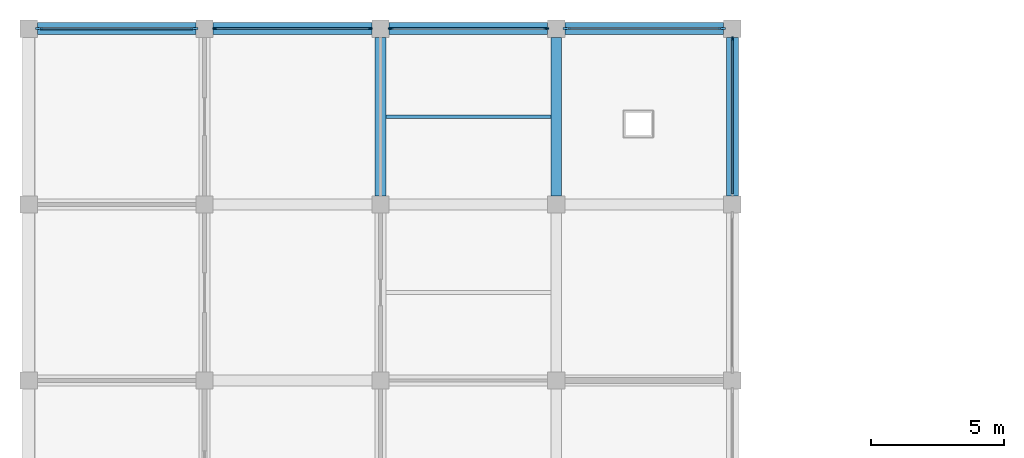
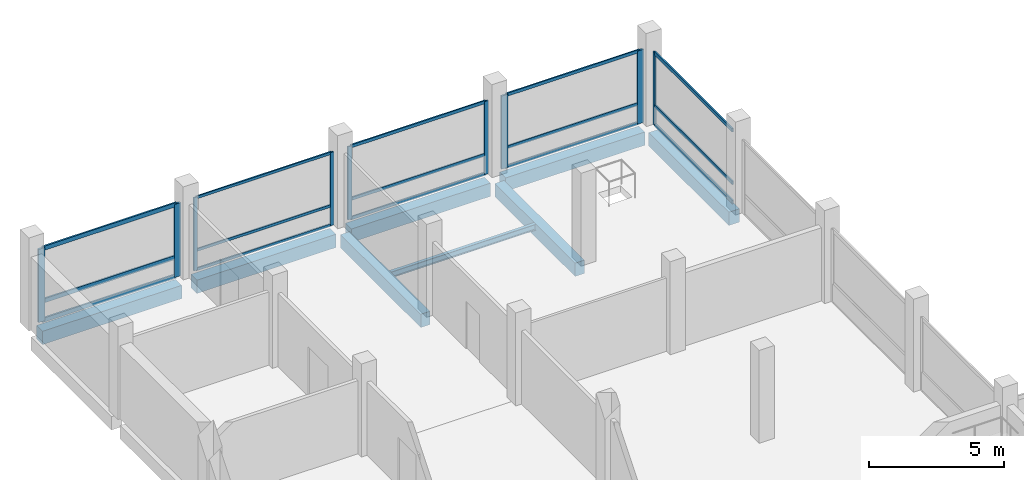
# One storey, part 4 of 9: 24 members, 8 beams, 5 elements without a shape of their own.
"""IFC4 building model written with IfcOpenShell, lengths in metres."""

from ifc_helpers import new_model, si_unit, direction, frame, origin, origin_2d, place, context, subcontext, project, spatial, rectangle, i_section, extrude, material, material_profile, profile_set, type_object, element, aggregate, save


model = new_model("IFC4")

# Units and contexts
model_context = context("Model", 3, precision=1e-05, world=origin(), true_north=direction((0.0, 1.0)))
body_context = subcontext(model_context, "Body", "Model", "MODEL_VIEW")
ifc_project = project(units=[si_unit("LENGTHUNIT", "METRE"), si_unit("AREAUNIT", "SQUARE_METRE"), si_unit("VOLUMEUNIT", "CUBIC_METRE"), si_unit("PLANEANGLEUNIT", "RADIAN"), si_unit("MASSUNIT", "GRAM", prefix="KILO")], contexts=[model_context])

# Site, building, storey
site_placement = place(None, origin())
site = spatial("IfcSite", under=ifc_project, at=site_placement, CompositionType="ELEMENT")
building_placement = place(site_placement, origin())
building = spatial("IfcBuilding", under=site, at=building_placement, Name="Rusizi Kubbe Research Institute", CompositionType="ELEMENT")
storey_placement = place(building_placement, frame((0.0, 0.0, 60.60009765625)))
storey = spatial("IfcBuildingStorey", under=building, at=storey_placement, Name="L14", CompositionType="ELEMENT", Elevation=60.60009765625)

# Beams
ifc_material_1 = material(Name="Steel S355", Category="steel")
ifc_material_profile_1 = material_profile(ifc_material_1, i_section(OverallWidth=0.135009765625, OverallDepth=0.27001953125, WebThickness=0.006591796875, FlangeThickness=0.01025390625, at=origin_2d()), Name="IPE 270")
ifc_profile_set_1 = profile_set([ifc_material_profile_1], Name="Steel S355")
beam_type_1 = type_object("IfcBeamType", Name="BM-IPE270", PredefinedType="JOIST", material=ifc_profile_set_1)
beam_1_placement = place(storey_placement, frame((13.39990234375, 49.5, -0.43505859375), z_axis=(1.0, 0.0, 0.0), x_axis=(0.0, 1.0, 0.0)))
element("IfcBeam", 1, at=beam_1_placement, inside=storey, type_object=beam_type_1, Name="Lab Stiffener Joist L14 (2,7)", PredefinedType="JOIST", context=body_context, shape_type="SweptSolid", body=[
    extrude(i_section(OverallWidth=0.135009765625, OverallDepth=0.27001953125, WebThickness=0.006591796875, FlangeThickness=0.01025390625, at=origin_2d()), origin(), (0.0, 0.0, 1.0), 6.2001953125),
])
ifc_material_2 = material(Name="Concrete C40/50", Category="concrete")
ifc_material_profile_2 = material_profile(ifc_material_2, rectangle(XDim=0.39990234375, YDim=0.60009765625, at=origin_2d()), Name="RC400x600")
ifc_profile_set_2 = profile_set([ifc_material_profile_2], Name="Concrete C40/50")
beam_type_2 = type_object("IfcBeamType", Name="BM-RC400x600", PredefinedType="BEAM", material=ifc_profile_set_2)
for number, where, z_axis, x_axis, name in (
    (2, (13.199951171875, 46.52490234375, -0.60009765625), (0.0, 1.0, 0.0), (-1.0, 0.0, 0.0), "Grid Beam V L14 (2,7)"),
    (3, (19.800048828125, 46.52490234375, -0.60009765625), (0.0, 1.0, 0.0), (-1.0, 0.0, 0.0), "Grid Beam V L14 (3,7)"),
):
    element("IfcBeam", number, at=place(storey_placement, frame(where, z_axis=z_axis, x_axis=x_axis)), inside=storey, type_object=beam_type_2, Name=name, PredefinedType="BEAM", context=body_context, shape_type="SweptSolid", body=[
        extrude(rectangle(XDim=0.39990234375, YDim=0.60009765625, at=origin_2d()), origin(), (0.0, 0.0, 1.0), 5.9501953125),
    ])
ifc_material_3 = material(Name="Concrete C40/50", Category="concrete")
ifc_material_profile_3 = material_profile(ifc_material_3, rectangle(XDim=0.449951171875, YDim=0.60009765625, at=origin_2d()), Name="RC450x600")
ifc_profile_set_3 = profile_set([ifc_material_profile_3], Name="Concrete C40/50")
beam_type_3 = type_object("IfcBeamType", Name="BM-RC450x600", PredefinedType="SPANDREL", material=ifc_profile_set_3)
for number, where, z_axis, x_axis, name in (
    (4, (0.324951171875, 52.800048828125, -0.60009765625), (1.0, 0.0, 0.0), (0.0, 1.0, 0.0), "Grid Beam H L14 (0,8)"),
    (5, (6.925048828125, 52.800048828125, -0.60009765625), (1.0, 0.0, 0.0), (0.0, 1.0, 0.0), "Grid Beam H L14 (1,8)"),
):
    element("IfcBeam", number, at=place(storey_placement, frame(where, z_axis=z_axis, x_axis=x_axis)), inside=storey, type_object=beam_type_3, Name=name, PredefinedType="SPANDREL", context=body_context, shape_type="SweptSolid", body=[
        extrude(rectangle(XDim=0.449951171875, YDim=0.60009765625, at=origin_2d()), origin(), (0.0, 0.0, 1.0), 5.949951171875),
    ])
beam_2_placement = place(storey_placement, frame((13.52490234375, 52.800048828125, -0.60009765625), z_axis=(1.0, 0.0, 0.0), x_axis=(0.0, 1.0, 0.0)))
element("IfcBeam", 6, at=beam_2_placement, inside=storey, type_object=beam_type_3, Name="Grid Beam H L14 (2,8)", PredefinedType="SPANDREL", context=body_context, shape_type="SweptSolid", body=[
    extrude(rectangle(XDim=0.449951171875, YDim=0.60009765625, at=origin_2d()), origin(), (0.0, 0.0, 1.0), 5.9501953125),
])
beam_3_placement = place(storey_placement, frame((20.125, 52.800048828125, -0.60009765625), z_axis=(1.0, 0.0, 0.0), x_axis=(0.0, 1.0, 0.0)))
element("IfcBeam", 7, at=beam_3_placement, inside=storey, type_object=beam_type_3, Name="Grid Beam H L14 (3,8)", PredefinedType="SPANDREL", context=body_context, shape_type="SweptSolid", body=[
    extrude(rectangle(XDim=0.449951171875, YDim=0.60009765625, at=origin_2d()), origin(), (0.0, 0.0, 1.0), 5.949951171875),
])
beam_4_placement = place(storey_placement, frame((26.39990234375, 46.52490234375, -0.60009765625), z_axis=(0.0, 1.0, 0.0), x_axis=(-1.0, 0.0, 0.0)))
element("IfcBeam", 8, at=beam_4_placement, inside=storey, type_object=beam_type_3, Name="Grid Beam V L14 (4,7)", PredefinedType="SPANDREL", context=body_context, shape_type="SweptSolid", body=[
    extrude(rectangle(XDim=0.449951171875, YDim=0.60009765625, at=origin_2d()), origin(), (0.0, 0.0, 1.0), 5.9501953125),
])

# Curtain wall, members
ifc_material_4 = material(Name="Thermally Broken Aluminium and Low-E Glazing", Category="aluminium")
curtain_wall_type = type_object("IfcCurtainWallType", Name="CW-16", PredefinedType="NOTDEFINED", material=ifc_material_4)
curtain_wall_1_placement = place(storey_placement, origin())
curtain_wall_1 = element("IfcCurtainWall", 9, at=curtain_wall_1_placement, inside=storey, type_object=curtain_wall_type, Name="Unitised Facade Curtain Wall CW-L14-H-01-08", PredefinedType="NOTDEFINED")
ifc_material_5 = material(Name="Aluminium Alloy 6063-T6", Category="aluminium")
ifc_material_profile_4 = material_profile(ifc_material_5, rectangle(XDim=0.06005859375, YDim=0.14990234375, at=origin_2d()), Name="ALU-M 60x150")
ifc_profile_set_4 = profile_set([ifc_material_profile_4], Name="Aluminium Alloy 6063-T6")
member_type_1 = type_object("IfcMemberType", Name="ML-01", PredefinedType="MULLION", material=ifc_profile_set_4)
member_1_placement = place(storey_placement, frame((6.985107421875, 52.800048828125, 0.0), z_axis=(0.0, 0.0, 1.0), x_axis=(0.0, 1.0, 0.0)))
member_1 = element("IfcMember", 10, at=member_1_placement, type_object=member_type_1, Name="CW-16 mullion 1", PredefinedType="MULLION", context=body_context, shape_type="SweptSolid", body=[
    extrude(rectangle(XDim=0.06005859375, YDim=0.14990234375, at=origin_2d()), origin(), (0.0, 0.0, 1.0), 3.309814453125),
])
member_2_placement = place(storey_placement, frame((12.81494140625, 52.800048828125, 0.0), z_axis=(0.0, 0.0, 1.0), x_axis=(0.0, 1.0, 0.0)))
member_2 = element("IfcMember", 11, at=member_2_placement, type_object=member_type_1, Name="CW-16 mullion 2", PredefinedType="MULLION", context=body_context, shape_type="SweptSolid", body=[
    extrude(rectangle(XDim=0.06005859375, YDim=0.14990234375, at=origin_2d()), origin(), (0.0, 0.0, 1.0), 3.309814453125),
])

# Curtain wall, member
curtain_wall_2_placement = place(storey_placement, origin())
curtain_wall_2 = element("IfcCurtainWall", 12, at=curtain_wall_2_placement, inside=storey, type_object=curtain_wall_type, Name="Unitised Facade Curtain Wall CW-L14-V-04-07", PredefinedType="NOTDEFINED")
member_3_placement = place(storey_placement, frame((26.39990234375, 52.4150390625, 0.0), z_axis=(0.0, 0.0, 1.0), x_axis=(-1.0, 0.0, 0.0)))
member_3 = element("IfcMember", 13, at=member_3_placement, type_object=member_type_1, Name="CW-16 mullion 2", PredefinedType="MULLION", context=body_context, shape_type="SweptSolid", body=[
    extrude(rectangle(XDim=0.06005859375, YDim=0.14990234375, at=origin_2d()), origin(), (0.0, 0.0, 1.0), 3.309814453125),
])

# Curtain wall, members
curtain_wall_3_placement = place(storey_placement, origin())
curtain_wall_3 = element("IfcCurtainWall", 14, at=curtain_wall_3_placement, inside=storey, type_object=curtain_wall_type, Name="Unitised Facade Curtain Wall CW-L14-H-02-08", PredefinedType="NOTDEFINED")
ifc_material_6 = material(Name="Aluminium Alloy 6063-T6", Category="aluminium")
ifc_material_profile_5 = material_profile(ifc_material_6, rectangle(XDim=0.06005859375, YDim=0.179931640625, at=origin_2d()), Name="ALU-M 60x180")
ifc_profile_set_5 = profile_set([ifc_material_profile_5], Name="Aluminium Alloy 6063-T6")
member_type_2 = type_object("IfcMemberType", Name="ML-02", PredefinedType="MULLION", material=ifc_profile_set_5)
member_4_placement = place(storey_placement, frame((13.5849609375, 52.800048828125, 0.0), z_axis=(0.0, 0.0, 1.0), x_axis=(0.0, 1.0, 0.0)))
member_4 = element("IfcMember", 15, at=member_4_placement, type_object=member_type_2, Name="CW-16 mullion 1", PredefinedType="MULLION", context=body_context, shape_type="SweptSolid", body=[
    extrude(rectangle(XDim=0.06005859375, YDim=0.179931640625, at=origin_2d()), origin(), (0.0, 0.0, 1.0), 3.309814453125),
])
member_5_placement = place(storey_placement, frame((19.4150390625, 52.800048828125, 0.0), z_axis=(0.0, 0.0, 1.0), x_axis=(0.0, 1.0, 0.0)))
member_5 = element("IfcMember", 16, at=member_5_placement, type_object=member_type_2, Name="CW-16 mullion 2", PredefinedType="MULLION", context=body_context, shape_type="SweptSolid", body=[
    extrude(rectangle(XDim=0.06005859375, YDim=0.179931640625, at=origin_2d()), origin(), (0.0, 0.0, 1.0), 3.309814453125),
])

curtain_wall_4_placement = place(storey_placement, origin())
curtain_wall_4 = element("IfcCurtainWall", 17, at=curtain_wall_4_placement, inside=storey, type_object=curtain_wall_type, Name="Unitised Facade Curtain Wall CW-L14-H-00-08", PredefinedType="NOTDEFINED")
ifc_material_7 = material(Name="Aluminium Alloy 6063-T6", Category="aluminium")
ifc_material_profile_6 = material_profile(ifc_material_7, rectangle(XDim=0.080078125, YDim=0.280029296875, at=origin_2d()), Name="ALU-M 80x280")
ifc_profile_set_6 = profile_set([ifc_material_profile_6], Name="Aluminium Alloy 6063-T6")
member_type_3 = type_object("IfcMemberType", Name="ML-06", PredefinedType="MULLION", material=ifc_profile_set_6)
member_6_placement = place(storey_placement, frame((0.39501953125, 52.800048828125, 0.0), z_axis=(0.0, 0.0, 1.0), x_axis=(0.0, 1.0, 0.0)))
member_6 = element("IfcMember", 18, at=member_6_placement, type_object=member_type_3, Name="CW-16 mullion 1", PredefinedType="MULLION", context=body_context, shape_type="SweptSolid", body=[
    extrude(rectangle(XDim=0.080078125, YDim=0.280029296875, at=origin_2d()), origin(), (0.0, 0.0, 1.0), 3.309814453125),
])
member_7_placement = place(storey_placement, frame((6.205078125, 52.800048828125, 0.0), z_axis=(0.0, 0.0, 1.0), x_axis=(0.0, 1.0, 0.0)))
member_7 = element("IfcMember", 19, at=member_7_placement, type_object=member_type_3, Name="CW-16 mullion 2", PredefinedType="MULLION", context=body_context, shape_type="SweptSolid", body=[
    extrude(rectangle(XDim=0.080078125, YDim=0.280029296875, at=origin_2d()), origin(), (0.0, 0.0, 1.0), 3.309814453125),
])

curtain_wall_5_placement = place(storey_placement, origin())
curtain_wall_5 = element("IfcCurtainWall", 20, at=curtain_wall_5_placement, inside=storey, type_object=curtain_wall_type, Name="Unitised Facade Curtain Wall CW-L14-H-03-08", PredefinedType="NOTDEFINED")
member_8_placement = place(storey_placement, frame((20.195068359375, 52.800048828125, 0.0), z_axis=(0.0, 0.0, 1.0), x_axis=(0.0, 1.0, 0.0)))
member_8 = element("IfcMember", 21, at=member_8_placement, type_object=member_type_3, Name="CW-16 mullion 1", PredefinedType="MULLION", context=body_context, shape_type="SweptSolid", body=[
    extrude(rectangle(XDim=0.080078125, YDim=0.280029296875, at=origin_2d()), origin(), (0.0, 0.0, 1.0), 3.309814453125),
])
member_9_placement = place(storey_placement, frame((26.0048828125, 52.800048828125, 0.0), z_axis=(0.0, 0.0, 1.0), x_axis=(0.0, 1.0, 0.0)))
member_9 = element("IfcMember", 22, at=member_9_placement, type_object=member_type_3, Name="CW-16 mullion 2", PredefinedType="MULLION", context=body_context, shape_type="SweptSolid", body=[
    extrude(rectangle(XDim=0.080078125, YDim=0.280029296875, at=origin_2d()), origin(), (0.0, 0.0, 1.0), 3.309814453125),
])

# Member
ifc_material_8 = material(Name="Aluminium Alloy 6063-T6", Category="aluminium")
ifc_material_profile_7 = material_profile(ifc_material_8, rectangle(XDim=0.06005859375, YDim=0.1201171875, at=origin_2d()), Name="ALU-T 60x120")
ifc_profile_set_7 = profile_set([ifc_material_profile_7], Name="Aluminium Alloy 6063-T6")
member_type_4 = type_object("IfcMemberType", Name="TR-01", PredefinedType="USERDEFINED", material=ifc_profile_set_7)
member_10_placement = place(storey_placement, frame((7.014892578125, 52.800048828125, 0.02978515625), z_axis=(1.0, 0.0, 0.0), x_axis=(0.0, 1.0, 0.0)))
member_10 = element("IfcMember", 23, at=member_10_placement, type_object=member_type_4, Name="CW-16 transom 1.1", ObjectType="TRANSOM", PredefinedType="USERDEFINED", context=body_context, shape_type="SweptSolid", body=[
    extrude(rectangle(XDim=0.06005859375, YDim=0.1201171875, at=origin_2d()), origin(), (0.0, 0.0, 1.0), 5.77001953125),
])

member_11_placement = place(storey_placement, frame((7.014892578125, 52.800048828125, 0.89990234375), z_axis=(1.0, 0.0, 0.0), x_axis=(0.0, 1.0, 0.0)))
member_11 = element("IfcMember", 24, at=member_11_placement, type_object=member_type_4, Name="CW-16 transom 1.2", ObjectType="TRANSOM", PredefinedType="USERDEFINED", context=body_context, shape_type="SweptSolid", body=[
    extrude(rectangle(XDim=0.06005859375, YDim=0.1201171875, at=origin_2d()), origin(), (0.0, 0.0, 1.0), 5.77001953125),
])

member_12_placement = place(storey_placement, frame((7.014892578125, 52.800048828125, 3.27978515625), z_axis=(1.0, 0.0, 0.0), x_axis=(0.0, 1.0, 0.0)))
member_12 = element("IfcMember", 25, at=member_12_placement, type_object=member_type_4, Name="CW-16 transom 1.3", ObjectType="TRANSOM", PredefinedType="USERDEFINED", context=body_context, shape_type="SweptSolid", body=[
    extrude(rectangle(XDim=0.06005859375, YDim=0.1201171875, at=origin_2d()), origin(), (0.0, 0.0, 1.0), 5.77001953125),
])

aggregate(curtain_wall_1, [member_1, member_2, member_10, member_11, member_12])

ifc_material_9 = material(Name="Aluminium Alloy 6063-T6", Category="aluminium")
ifc_material_profile_8 = material_profile(ifc_material_9, rectangle(XDim=0.06005859375, YDim=0.139892578125, at=origin_2d()), Name="ALU-T 60x140")
ifc_profile_set_8 = profile_set([ifc_material_profile_8], Name="Aluminium Alloy 6063-T6")
member_type_5 = type_object("IfcMemberType", Name="TR-02", PredefinedType="USERDEFINED", material=ifc_profile_set_8)
member_13_placement = place(storey_placement, frame((13.614990234375, 52.800048828125, 0.02978515625), z_axis=(1.0, 0.0, 0.0), x_axis=(0.0, 1.0, 0.0)))
member_13 = element("IfcMember", 26, at=member_13_placement, type_object=member_type_5, Name="CW-16 transom 1.1", ObjectType="TRANSOM", PredefinedType="USERDEFINED", context=body_context, shape_type="SweptSolid", body=[
    extrude(rectangle(XDim=0.06005859375, YDim=0.139892578125, at=origin_2d()), origin(), (0.0, 0.0, 1.0), 5.77001953125),
])

member_14_placement = place(storey_placement, frame((13.614990234375, 52.800048828125, 0.89990234375), z_axis=(1.0, 0.0, 0.0), x_axis=(0.0, 1.0, 0.0)))
member_14 = element("IfcMember", 27, at=member_14_placement, type_object=member_type_5, Name="CW-16 transom 1.2", ObjectType="TRANSOM", PredefinedType="USERDEFINED", context=body_context, shape_type="SweptSolid", body=[
    extrude(rectangle(XDim=0.06005859375, YDim=0.139892578125, at=origin_2d()), origin(), (0.0, 0.0, 1.0), 5.77001953125),
])

member_15_placement = place(storey_placement, frame((13.614990234375, 52.800048828125, 3.27978515625), z_axis=(1.0, 0.0, 0.0), x_axis=(0.0, 1.0, 0.0)))
member_15 = element("IfcMember", 28, at=member_15_placement, type_object=member_type_5, Name="CW-16 transom 1.3", ObjectType="TRANSOM", PredefinedType="USERDEFINED", context=body_context, shape_type="SweptSolid", body=[
    extrude(rectangle(XDim=0.06005859375, YDim=0.139892578125, at=origin_2d()), origin(), (0.0, 0.0, 1.0), 5.77001953125),
])

aggregate(curtain_wall_3, [member_4, member_5, member_13, member_14, member_15])

member_16_placement = place(storey_placement, frame((20.235107421875, 52.800048828125, 0.02978515625), z_axis=(1.0, 0.0, 0.0), x_axis=(0.0, 1.0, 0.0)))
member_16 = element("IfcMember", 29, at=member_16_placement, type_object=member_type_5, Name="CW-16 transom 1.1", ObjectType="TRANSOM", PredefinedType="USERDEFINED", context=body_context, shape_type="SweptSolid", body=[
    extrude(rectangle(XDim=0.06005859375, YDim=0.139892578125, at=origin_2d()), origin(), (0.0, 0.0, 1.0), 5.72998046875),
])

member_17_placement = place(storey_placement, frame((20.235107421875, 52.800048828125, 0.89990234375), z_axis=(1.0, 0.0, 0.0), x_axis=(0.0, 1.0, 0.0)))
member_17 = element("IfcMember", 30, at=member_17_placement, type_object=member_type_5, Name="CW-16 transom 1.2", ObjectType="TRANSOM", PredefinedType="USERDEFINED", context=body_context, shape_type="SweptSolid", body=[
    extrude(rectangle(XDim=0.06005859375, YDim=0.139892578125, at=origin_2d()), origin(), (0.0, 0.0, 1.0), 5.72998046875),
])

member_18_placement = place(storey_placement, frame((20.235107421875, 52.800048828125, 3.27978515625), z_axis=(1.0, 0.0, 0.0), x_axis=(0.0, 1.0, 0.0)))
member_18 = element("IfcMember", 31, at=member_18_placement, type_object=member_type_5, Name="CW-16 transom 1.3", ObjectType="TRANSOM", PredefinedType="USERDEFINED", context=body_context, shape_type="SweptSolid", body=[
    extrude(rectangle(XDim=0.06005859375, YDim=0.139892578125, at=origin_2d()), origin(), (0.0, 0.0, 1.0), 5.72998046875),
])

aggregate(curtain_wall_5, [member_8, member_9, member_16, member_17, member_18])

ifc_material_10 = material(Name="Aluminium Alloy 6063-T6", Category="aluminium")
ifc_material_profile_9 = material_profile(ifc_material_10, rectangle(XDim=0.06494140625, YDim=0.159912109375, at=origin_2d()), Name="ALU-T 65x160")
ifc_profile_set_9 = profile_set([ifc_material_profile_9], Name="Aluminium Alloy 6063-T6")
member_type_6 = type_object("IfcMemberType", Name="TR-03", PredefinedType="USERDEFINED", material=ifc_profile_set_9)
member_19_placement = place(storey_placement, frame((26.39990234375, 46.614990234375, 0.032470703125), z_axis=(0.0, 1.0, 0.0), x_axis=(-1.0, 0.0, 0.0)))
member_19 = element("IfcMember", 32, at=member_19_placement, type_object=member_type_6, Name="CW-16 transom 1.1", ObjectType="TRANSOM", PredefinedType="USERDEFINED", context=body_context, shape_type="SweptSolid", body=[
    extrude(rectangle(XDim=0.06494140625, YDim=0.159912109375, at=origin_2d()), origin(), (0.0, 0.0, 1.0), 5.77001953125),
])

member_20_placement = place(storey_placement, frame((26.39990234375, 46.614990234375, 0.89990234375), z_axis=(0.0, 1.0, 0.0), x_axis=(-1.0, 0.0, 0.0)))
member_20 = element("IfcMember", 33, at=member_20_placement, type_object=member_type_6, Name="CW-16 transom 1.2", ObjectType="TRANSOM", PredefinedType="USERDEFINED", context=body_context, shape_type="SweptSolid", body=[
    extrude(rectangle(XDim=0.06494140625, YDim=0.159912109375, at=origin_2d()), origin(), (0.0, 0.0, 1.0), 5.77001953125),
])

member_21_placement = place(storey_placement, frame((26.39990234375, 46.614990234375, 3.27734375), z_axis=(0.0, 1.0, 0.0), x_axis=(-1.0, 0.0, 0.0)))
member_21 = element("IfcMember", 34, at=member_21_placement, type_object=member_type_6, Name="CW-16 transom 1.3", ObjectType="TRANSOM", PredefinedType="USERDEFINED", context=body_context, shape_type="SweptSolid", body=[
    extrude(rectangle(XDim=0.06494140625, YDim=0.159912109375, at=origin_2d()), origin(), (0.0, 0.0, 1.0), 5.77001953125),
])

aggregate(curtain_wall_2, [member_3, member_19, member_20, member_21])

ifc_material_11 = material(Name="Aluminium Alloy 6063-T6", Category="aluminium")
ifc_material_profile_10 = material_profile(ifc_material_11, rectangle(XDim=0.070068359375, YDim=0.18994140625, at=origin_2d()), Name="ALU-T 70x190")
ifc_profile_set_10 = profile_set([ifc_material_profile_10], Name="Aluminium Alloy 6063-T6")
member_type_7 = type_object("IfcMemberType", Name="TR-04", PredefinedType="USERDEFINED", material=ifc_profile_set_10)
member_22_placement = place(storey_placement, frame((0.43505859375, 52.800048828125, 0.034912109375), z_axis=(1.0, 0.0, 0.0), x_axis=(0.0, 1.0, 0.0)))
member_22 = element("IfcMember", 35, at=member_22_placement, type_object=member_type_7, Name="CW-16 transom 1.1", ObjectType="TRANSOM", PredefinedType="USERDEFINED", context=body_context, shape_type="SweptSolid", body=[
    extrude(rectangle(XDim=0.070068359375, YDim=0.18994140625, at=origin_2d()), origin(), (0.0, 0.0, 1.0), 5.72998046875),
])

member_23_placement = place(storey_placement, frame((0.43505859375, 52.800048828125, 0.89990234375), z_axis=(1.0, 0.0, 0.0), x_axis=(0.0, 1.0, 0.0)))
member_23 = element("IfcMember", 36, at=member_23_placement, type_object=member_type_7, Name="CW-16 transom 1.2", ObjectType="TRANSOM", PredefinedType="USERDEFINED", context=body_context, shape_type="SweptSolid", body=[
    extrude(rectangle(XDim=0.070068359375, YDim=0.18994140625, at=origin_2d()), origin(), (0.0, 0.0, 1.0), 5.72998046875),
])

member_24_placement = place(storey_placement, frame((0.43505859375, 52.800048828125, 3.27490234375), z_axis=(1.0, 0.0, 0.0), x_axis=(0.0, 1.0, 0.0)))
member_24 = element("IfcMember", 37, at=member_24_placement, type_object=member_type_7, Name="CW-16 transom 1.3", ObjectType="TRANSOM", PredefinedType="USERDEFINED", context=body_context, shape_type="SweptSolid", body=[
    extrude(rectangle(XDim=0.070068359375, YDim=0.18994140625, at=origin_2d()), origin(), (0.0, 0.0, 1.0), 5.72998046875),
])

aggregate(curtain_wall_4, [member_6, member_7, member_22, member_23, member_24])

save(model, "model.ifc")
